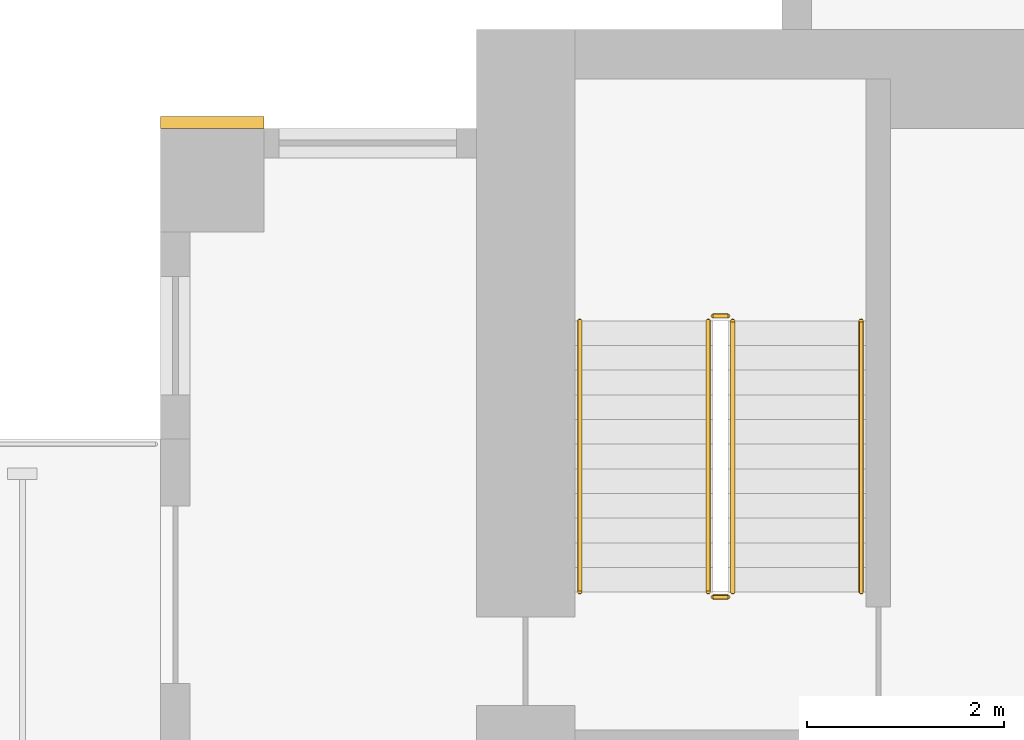
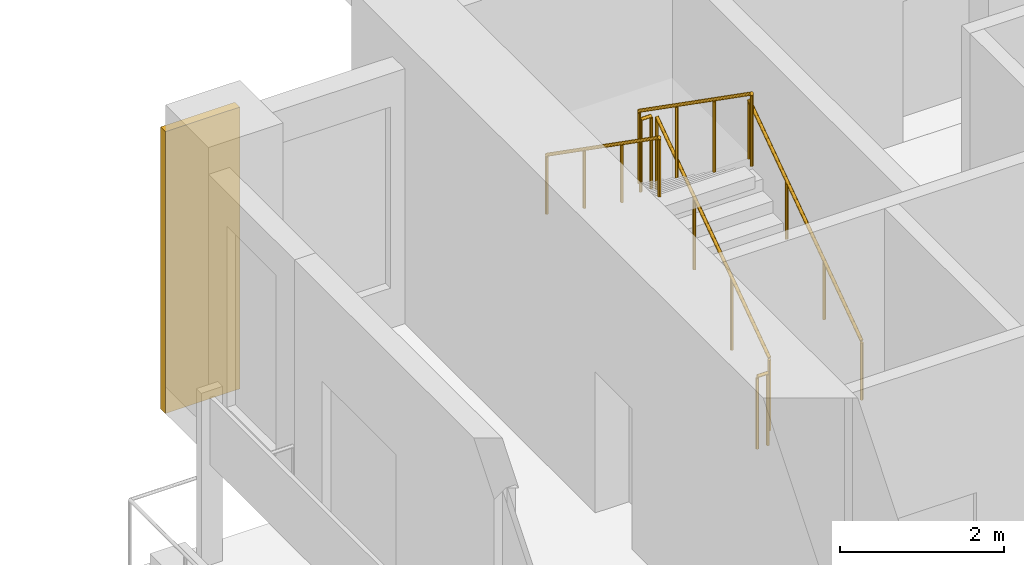
# One storey, part 11 of 14: 6 railings, 1 covering.
"""IFC4 building model written with IfcOpenShell, lengths in metres."""

from ifc_helpers import new_model, si_unit, direction, frame, origin, origin_2d, place, context, subcontext, project, spatial, rectangle, circle, extrude, source, transform, mapped, material, type_object, element, save


model = new_model("IFC4")

# Units and contexts
model_context = context("Model", 3, precision=1e-05, world=origin(), true_north=direction((0.0, 1.0)))
body_context = subcontext(model_context, "Body", "Model", "MODEL_VIEW")
ifc_project = project(units=[si_unit("LENGTHUNIT", "METRE"), si_unit("AREAUNIT", "SQUARE_METRE"), si_unit("VOLUMEUNIT", "CUBIC_METRE"), si_unit("PLANEANGLEUNIT", "RADIAN"), si_unit("MASSUNIT", "GRAM", prefix="KILO")], contexts=[model_context])

# Site, building, storey
site_placement = place(None, origin())
site = spatial("IfcSite", under=ifc_project, at=site_placement, CompositionType="ELEMENT")
building_placement = place(site_placement, origin())
building = spatial("IfcBuilding", under=site, at=building_placement, Name="Aurelian Terraces", CompositionType="ELEMENT")
storey_placement = place(building_placement, frame((0.0, 0.0, 116.1)))
storey = spatial("IfcBuildingStorey", under=building, at=storey_placement, Name="L25", CompositionType="ELEMENT", Elevation=116.1)

# Covering
ifc_material_1 = material(Name="Terracotta rainscreen cladding relief", Category="masonry")
covering_type = type_object("IfcCoveringType", Name="BAGUETTE-TC", PredefinedType="CLADDING", material=ifc_material_1)
shared_shape_1 = source(origin(), body_context, "Body", "SweptSolid", [
    extrude(rectangle(XDim=1.05, YDim=0.12, at=origin_2d()), origin(), (0.0, 0.0, 1.0), 4.2),
])
covering_placement = place(storey_placement, frame((0.525, 21.06, -0.4), z_axis=(0.0, 0.0, 1.0), x_axis=(1.0, 0.0, 0.0)))
element("IfcCovering", 1, at=covering_placement, inside=storey, type_object=covering_type, Name="BAGUETTE pier L25 6", PredefinedType="CLADDING", context=body_context, shape_type="MappedRepresentation", body=[
    mapped(shared_shape_1, transform((0.0, 0.0, 0.0), scale=1.0)),
])

# Railings
ifc_material_2 = material(Name="Stainless steel", Category="steel")
railing_type_1 = type_object("IfcRailingType", Name="Stair guard 1100", PredefinedType="GUARDRAIL", material=ifc_material_2)
shared_shape_2 = source(origin(), body_context, "Body", "SweptSolid", [
    extrude(circle(Radius=0.024, at=origin_2d()), frame((0.0, 0.0, 1.076), z_axis=(-1.0, 0.0, 0.0), x_axis=(0.0, -1.0, 0.0)), (0.0, 0.0, 1.0), 0.15),
    extrude(circle(Radius=0.021, at=origin_2d()), origin(), (0.0, 0.0, 1.0), 1.052),
    extrude(circle(Radius=0.021, at=origin_2d()), frame((-0.15, 0.0, 0.0)), (0.0, 0.0, 1.0), 1.052),
])
for number, where, name in (
    (2, (5.75, 19.1, 2.1), "L25 S1 stair guard 2"),
    (3, (5.75, 16.25, 0.0), "L25 S1 stair guard 4"),
):
    element("IfcRailing", number, at=place(storey_placement, frame(where)), inside=storey, type_object=railing_type_1, Name=name, PredefinedType="GUARDRAIL", context=body_context, shape_type="MappedRepresentation", body=[
        mapped(shared_shape_2, transform((0.0, 0.0, 0.0), scale=1.0)),
    ])
shared_shape_3 = source(origin(), body_context, "Body", "SweptSolid", [
    extrude(circle(Radius=0.024, at=origin_2d()), frame((0.0, 0.0, 1.076), z_axis=(0.0, 0.819231920519, 0.573462344363), x_axis=(-1.0, 0.0, 0.0)), (0.0, 0.0, 1.0), 3.3568),
    extrude(circle(Radius=0.021, at=origin_2d()), origin(), (0.0, 0.0, 1.0), 1.052),
    extrude(circle(Radius=0.021, at=origin_2d()), frame((0.0, 0.9167, 0.6417)), (0.0, 0.0, 1.0), 1.052),
    extrude(circle(Radius=0.021, at=origin_2d()), frame((0.0, 1.8333, 1.2833)), (0.0, 0.0, 1.0), 1.052),
    extrude(circle(Radius=0.021, at=origin_2d()), frame((0.0, 2.75, 1.925)), (0.0, 0.0, 1.0), 1.052),
])
railing_1_placement = place(storey_placement, frame((5.8, 16.3, 0.175)))
element("IfcRailing", 4, at=railing_1_placement, inside=storey, type_object=railing_type_1, Name="L25 S1 stair guard 1", PredefinedType="GUARDRAIL", context=body_context, shape_type="MappedRepresentation", body=[
    mapped(shared_shape_3, transform((0.0, 0.0, 0.0), scale=1.0)),
])
shared_shape_4 = source(origin(), body_context, "Body", "SweptSolid", [
    extrude(circle(Radius=0.024, at=origin_2d()), frame((0.0, 0.0, 1.076), z_axis=(0.0, -0.819231920519, 0.573462344363), x_axis=(1.0, 0.0, 0.0)), (0.0, 0.0, 1.0), 3.3568),
    extrude(circle(Radius=0.021, at=origin_2d()), origin(), (0.0, 0.0, 1.0), 1.052),
    extrude(circle(Radius=0.021, at=origin_2d()), frame((0.0, -0.9167, 0.6417)), (0.0, 0.0, 1.0), 1.052),
    extrude(circle(Radius=0.021, at=origin_2d()), frame((0.0, -1.8333, 1.2833)), (0.0, 0.0, 1.0), 1.052),
    extrude(circle(Radius=0.021, at=origin_2d()), frame((0.0, -2.75, 1.925)), (0.0, 0.0, 1.0), 1.052),
])
railing_2_placement = place(storey_placement, frame((5.55, 19.05, 2.275)))
element("IfcRailing", 5, at=railing_2_placement, inside=storey, type_object=railing_type_1, Name="L25 S1 stair guard 3", PredefinedType="GUARDRAIL", context=body_context, shape_type="MappedRepresentation", body=[
    mapped(shared_shape_4, transform((0.0, 0.0, 0.0), scale=1.0)),
])
railing_type_2 = type_object("IfcRailingType", Name="Stair handrail", PredefinedType="HANDRAIL", material=ifc_material_2)
shared_shape_5 = source(origin(), body_context, "Body", "SweptSolid", [
    extrude(circle(Radius=0.024, at=origin_2d()), frame((0.0, 0.0, 0.876), z_axis=(0.0, 0.819231920519, 0.573462344363), x_axis=(-1.0, 0.0, 0.0)), (0.0, 0.0, 1.0), 3.3568),
    extrude(circle(Radius=0.021, at=origin_2d()), origin(), (0.0, 0.0, 1.0), 0.852),
    extrude(circle(Radius=0.021, at=origin_2d()), frame((0.0, 0.9167, 0.6417)), (0.0, 0.0, 1.0), 0.852),
    extrude(circle(Radius=0.021, at=origin_2d()), frame((0.0, 1.8333, 1.2833)), (0.0, 0.0, 1.0), 0.852),
    extrude(circle(Radius=0.021, at=origin_2d()), frame((0.0, 2.75, 1.925)), (0.0, 0.0, 1.0), 0.852),
])
railing_3_placement = place(storey_placement, frame((7.1, 16.3, 0.175)))
element("IfcRailing", 6, at=railing_3_placement, inside=storey, type_object=railing_type_2, Name="L25 S1 stair handrail 1", PredefinedType="HANDRAIL", context=body_context, shape_type="MappedRepresentation", body=[
    mapped(shared_shape_5, transform((0.0, 0.0, 0.0), scale=1.0)),
])
shared_shape_6 = source(origin(), body_context, "Body", "SweptSolid", [
    extrude(circle(Radius=0.024, at=origin_2d()), frame((0.0, 0.0, 0.876), z_axis=(0.0, -0.819231920519, 0.573462344363), x_axis=(1.0, 0.0, 0.0)), (0.0, 0.0, 1.0), 3.3568),
    extrude(circle(Radius=0.021, at=origin_2d()), origin(), (0.0, 0.0, 1.0), 0.852),
    extrude(circle(Radius=0.021, at=origin_2d()), frame((0.0, -0.9167, 0.6417)), (0.0, 0.0, 1.0), 0.852),
    extrude(circle(Radius=0.021, at=origin_2d()), frame((0.0, -1.8333, 1.2833)), (0.0, 0.0, 1.0), 0.852),
    extrude(circle(Radius=0.021, at=origin_2d()), frame((0.0, -2.75, 1.925)), (0.0, 0.0, 1.0), 0.852),
])
railing_4_placement = place(storey_placement, frame((4.25, 19.05, 2.275)))
element("IfcRailing", 7, at=railing_4_placement, inside=storey, type_object=railing_type_2, Name="L25 S1 stair handrail 2", PredefinedType="HANDRAIL", context=body_context, shape_type="MappedRepresentation", body=[
    mapped(shared_shape_6, transform((0.0, 0.0, 0.0), scale=1.0)),
])

save(model, "model.ifc")
